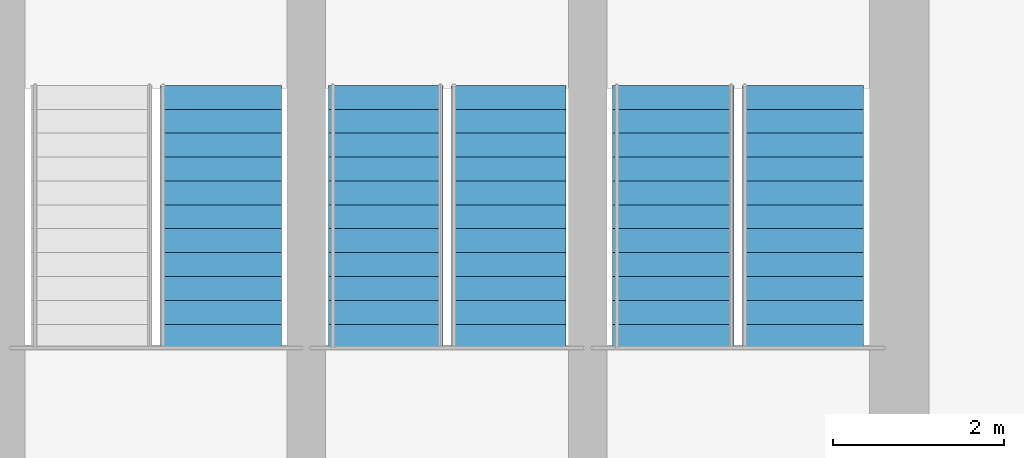
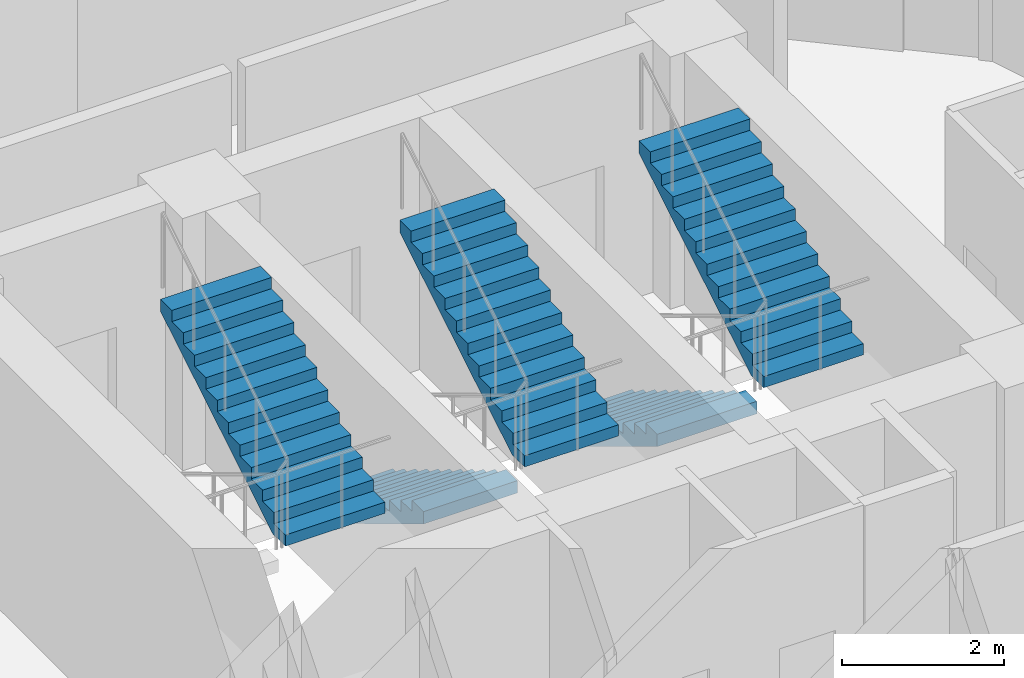
# One storey, part 24 of 25: 5 stair flights, 3 elements without a shape of their own.
"""IFC4 building model written with IfcOpenShell, lengths in metres."""

from ifc_helpers import new_model, si_unit, direction, frame, origin, place, context, subcontext, project, spatial, polyline, outline, extrude, material, type_object, element, aggregate, save


model = new_model("IFC4")

# Units and contexts
model_context = context("Model", 3, precision=1e-05, world=origin(), true_north=direction((0.0, 1.0)))
body_context = subcontext(model_context, "Body", "Model", "MODEL_VIEW")
ifc_project = project(units=[si_unit("LENGTHUNIT", "METRE"), si_unit("AREAUNIT", "SQUARE_METRE"), si_unit("VOLUMEUNIT", "CUBIC_METRE"), si_unit("PLANEANGLEUNIT", "RADIAN"), si_unit("MASSUNIT", "GRAM", prefix="KILO")], contexts=[model_context])

# Site, building, storey
site_placement = place(None, origin())
site = spatial("IfcSite", under=ifc_project, at=site_placement, CompositionType="ELEMENT")
building_placement = place(site_placement, origin())
building = spatial("IfcBuilding", under=site, at=building_placement, Name="Nuhasar Tower", CompositionType="ELEMENT")
storey_placement = place(building_placement, frame((0.0, 0.0, 65.550048828125)))
storey = spatial("IfcBuildingStorey", under=building, at=storey_placement, Name="L15", CompositionType="ELEMENT", Elevation=65.550048828125)

# Stair, stair flight
ifc_material = material(Name="Concrete C45/55", Category="concrete")
stair_type_1 = type_object("IfcStairType", Name="STR-ST-01-2F-24R-1688", PredefinedType="HALF_TURN_STAIR", material=ifc_material)
stair_1_placement = place(storey_placement, origin())
stair_1 = element("IfcStair", 1, at=stair_1_placement, inside=storey, type_object=stair_type_1, Name="L15 Exit Stair ST-01", PredefinedType="HALF_TURN_STAIR")
stair_flight_type_1 = type_object("IfcStairFlightType", Name="SFL-ST-01-12R-1688", PredefinedType="STRAIGHT", material=ifc_material)
stair_flight_1_placement = place(storey_placement, frame((36.35009765625, 32.205078125, 2.02490234375), z_axis=(0.0, 0.0, 1.0), x_axis=(0.0, 1.0, 0.0)))
stair_flight_1 = element("IfcStairFlight", 2, at=stair_flight_1_placement, type_object=stair_flight_type_1, Name="ST-01 flight 2", NumberOfRisers=12, NumberOfTreads=11, PredefinedType="STRAIGHT", RiserHeight=0.16875, TreadLength=0.28, context=body_context, shape_type="SweptSolid", body=[
    extrude(outline(polyline([(0.0, 0.0), (0.0, 0.168701171875), (0.280029296875, 0.168701171875), (0.280029296875, 0.33740234375), (0.56005859375, 0.33740234375), (0.56005859375, 0.50634765625), (0.840087890625, 0.50634765625), (0.840087890625, 0.675048828125), (1.1201171875, 0.675048828125), (1.1201171875, 0.84375), (1.39990234375, 0.84375), (1.39990234375, 1.012451171875), (1.679931640625, 1.012451171875), (1.679931640625, 1.18115234375), (1.9599609375, 1.18115234375), (1.9599609375, 1.35009765625), (2.239990234375, 1.35009765625), (2.239990234375, 1.518798828125), (2.52001953125, 1.518798828125), (2.52001953125, 1.6875), (2.800048828125, 1.6875), (2.800048828125, 1.856201171875), (3.080078125, 1.856201171875), (3.080078125, 2.02490234375), (3.080078125, 1.66943359375), (0.309814453125, 0.0), (0.0, 0.0)])), frame((0.0, 0.7099609375, 0.0), z_axis=(0.0, -1.0, 0.0), x_axis=(1.0, 0.0, 0.0)), (0.0, 0.0, 1.0), 1.419921875),
])
aggregate(stair_1, [stair_flight_1])

# Stair, stair flights
stair_type_2 = type_object("IfcStairType", Name="STR-ST-02-2F-24R-1688", PredefinedType="HALF_TURN_STAIR", material=ifc_material)
stair_2_placement = place(storey_placement, origin())
stair_2 = element("IfcStair", 3, at=stair_2_placement, inside=storey, type_object=stair_type_2, Name="L15 Exit Stair ST-02", PredefinedType="HALF_TURN_STAIR")
stair_flight_type_2 = type_object("IfcStairFlightType", Name="SFL-ST-02-12R-1688", PredefinedType="STRAIGHT", material=ifc_material)
stair_flight_2_placement = place(storey_placement, frame((41.64990234375, 35.284912109375, 0.0), z_axis=(0.0, 0.0, 1.0), x_axis=(0.0, -1.0, 0.0)))
stair_flight_2 = element("IfcStairFlight", 4, at=stair_flight_2_placement, type_object=stair_flight_type_2, Name="ST-02 flight 1", NumberOfRisers=12, NumberOfTreads=11, PredefinedType="STRAIGHT", RiserHeight=0.16875, TreadLength=0.28, context=body_context, shape_type="SweptSolid", body=[
    extrude(outline(polyline([(0.0, 0.0), (0.0, 0.168701171875), (0.280029296875, 0.168701171875), (0.280029296875, 0.33740234375), (0.56005859375, 0.33740234375), (0.56005859375, 0.50634765625), (0.840087890625, 0.50634765625), (0.840087890625, 0.675048828125), (1.1201171875, 0.675048828125), (1.1201171875, 0.84375), (1.39990234375, 0.84375), (1.39990234375, 1.012451171875), (1.679931640625, 1.012451171875), (1.679931640625, 1.18115234375), (1.9599609375, 1.18115234375), (1.9599609375, 1.35009765625), (2.239990234375, 1.35009765625), (2.239990234375, 1.518798828125), (2.52001953125, 1.518798828125), (2.52001953125, 1.6875), (2.800048828125, 1.6875), (2.800048828125, 1.856201171875), (3.080078125, 1.856201171875), (3.080078125, 2.02490234375), (3.080078125, 1.66943359375), (0.309814453125, 0.0), (0.0, 0.0)])), frame((0.0, 0.7099609375, 0.0), z_axis=(0.0, -1.0, 0.0), x_axis=(1.0, 0.0, 0.0)), (0.0, 0.0, 1.0), 1.419921875),
])
stair_flight_3_placement = place(storey_placement, frame((43.169921875, 32.205078125, 2.02490234375), z_axis=(0.0, 0.0, 1.0), x_axis=(0.0, 1.0, 0.0)))
stair_flight_3 = element("IfcStairFlight", 5, at=stair_flight_3_placement, type_object=stair_flight_type_2, Name="ST-02 flight 2", NumberOfRisers=12, NumberOfTreads=11, PredefinedType="STRAIGHT", RiserHeight=0.16875, TreadLength=0.28, context=body_context, shape_type="SweptSolid", body=[
    extrude(outline(polyline([(0.0, 0.0), (0.0, 0.168701171875), (0.280029296875, 0.168701171875), (0.280029296875, 0.33740234375), (0.56005859375, 0.33740234375), (0.56005859375, 0.50634765625), (0.840087890625, 0.50634765625), (0.840087890625, 0.675048828125), (1.1201171875, 0.675048828125), (1.1201171875, 0.84375), (1.39990234375, 0.84375), (1.39990234375, 1.012451171875), (1.679931640625, 1.012451171875), (1.679931640625, 1.18115234375), (1.9599609375, 1.18115234375), (1.9599609375, 1.35009765625), (2.239990234375, 1.35009765625), (2.239990234375, 1.518798828125), (2.52001953125, 1.518798828125), (2.52001953125, 1.6875), (2.800048828125, 1.6875), (2.800048828125, 1.856201171875), (3.080078125, 1.856201171875), (3.080078125, 2.02490234375), (3.080078125, 1.66943359375), (0.309814453125, 0.0), (0.0, 0.0)])), frame((0.0, 0.7099609375, 0.0), z_axis=(0.0, -1.0, 0.0), x_axis=(1.0, 0.0, 0.0)), (0.0, 0.0, 1.0), 1.419921875),
])
aggregate(stair_2, [stair_flight_2, stair_flight_3])

stair_type_3 = type_object("IfcStairType", Name="STR-ST-03-2F-24R-1688", PredefinedType="HALF_TURN_STAIR", material=ifc_material)
stair_3_placement = place(storey_placement, origin())
stair_3 = element("IfcStair", 6, at=stair_3_placement, inside=storey, type_object=stair_type_3, Name="L15 Exit Stair ST-03", PredefinedType="HALF_TURN_STAIR")
stair_flight_type_3 = type_object("IfcStairFlightType", Name="SFL-ST-03-12R-1688", PredefinedType="STRAIGHT", material=ifc_material)
stair_flight_4_placement = place(storey_placement, frame((38.280029296875, 35.284912109375, 0.0), z_axis=(0.0, 0.0, 1.0), x_axis=(0.0, -1.0, 0.0)))
stair_flight_4 = element("IfcStairFlight", 7, at=stair_flight_4_placement, type_object=stair_flight_type_3, Name="ST-03 flight 1", NumberOfRisers=12, NumberOfTreads=11, PredefinedType="STRAIGHT", RiserHeight=0.16875, TreadLength=0.28, context=body_context, shape_type="SweptSolid", body=[
    extrude(outline(polyline([(0.0, 0.0), (0.0, 0.168701171875), (0.280029296875, 0.168701171875), (0.280029296875, 0.33740234375), (0.56005859375, 0.33740234375), (0.56005859375, 0.50634765625), (0.840087890625, 0.50634765625), (0.840087890625, 0.675048828125), (1.1201171875, 0.675048828125), (1.1201171875, 0.84375), (1.39990234375, 0.84375), (1.39990234375, 1.012451171875), (1.679931640625, 1.012451171875), (1.679931640625, 1.18115234375), (1.9599609375, 1.18115234375), (1.9599609375, 1.35009765625), (2.239990234375, 1.35009765625), (2.239990234375, 1.518798828125), (2.52001953125, 1.518798828125), (2.52001953125, 1.6875), (2.800048828125, 1.6875), (2.800048828125, 1.856201171875), (3.080078125, 1.856201171875), (3.080078125, 2.02490234375), (3.080078125, 1.66943359375), (0.309814453125, 0.0), (0.0, 0.0)])), frame((0.0, 0.669921875, 0.0), z_axis=(0.0, -1.0, 0.0), x_axis=(1.0, 0.0, 0.0)), (0.0, 0.0, 1.0), 1.340087890625),
])
stair_flight_5_placement = place(storey_placement, frame((39.719970703125, 32.205078125, 2.02490234375), z_axis=(0.0, 0.0, 1.0), x_axis=(0.0, 1.0, 0.0)))
stair_flight_5 = element("IfcStairFlight", 8, at=stair_flight_5_placement, type_object=stair_flight_type_3, Name="ST-03 flight 2", NumberOfRisers=12, NumberOfTreads=11, PredefinedType="STRAIGHT", RiserHeight=0.16875, TreadLength=0.28, context=body_context, shape_type="SweptSolid", body=[
    extrude(outline(polyline([(0.0, 0.0), (0.0, 0.168701171875), (0.280029296875, 0.168701171875), (0.280029296875, 0.33740234375), (0.56005859375, 0.33740234375), (0.56005859375, 0.50634765625), (0.840087890625, 0.50634765625), (0.840087890625, 0.675048828125), (1.1201171875, 0.675048828125), (1.1201171875, 0.84375), (1.39990234375, 0.84375), (1.39990234375, 1.012451171875), (1.679931640625, 1.012451171875), (1.679931640625, 1.18115234375), (1.9599609375, 1.18115234375), (1.9599609375, 1.35009765625), (2.239990234375, 1.35009765625), (2.239990234375, 1.518798828125), (2.52001953125, 1.518798828125), (2.52001953125, 1.6875), (2.800048828125, 1.6875), (2.800048828125, 1.856201171875), (3.080078125, 1.856201171875), (3.080078125, 2.02490234375), (3.080078125, 1.66943359375), (0.309814453125, 0.0), (0.0, 0.0)])), frame((0.0, 0.669921875, 0.0), z_axis=(0.0, -1.0, 0.0), x_axis=(1.0, 0.0, 0.0)), (0.0, 0.0, 1.0), 1.340087890625),
])
aggregate(stair_3, [stair_flight_4, stair_flight_5])

save(model, "model.ifc")
